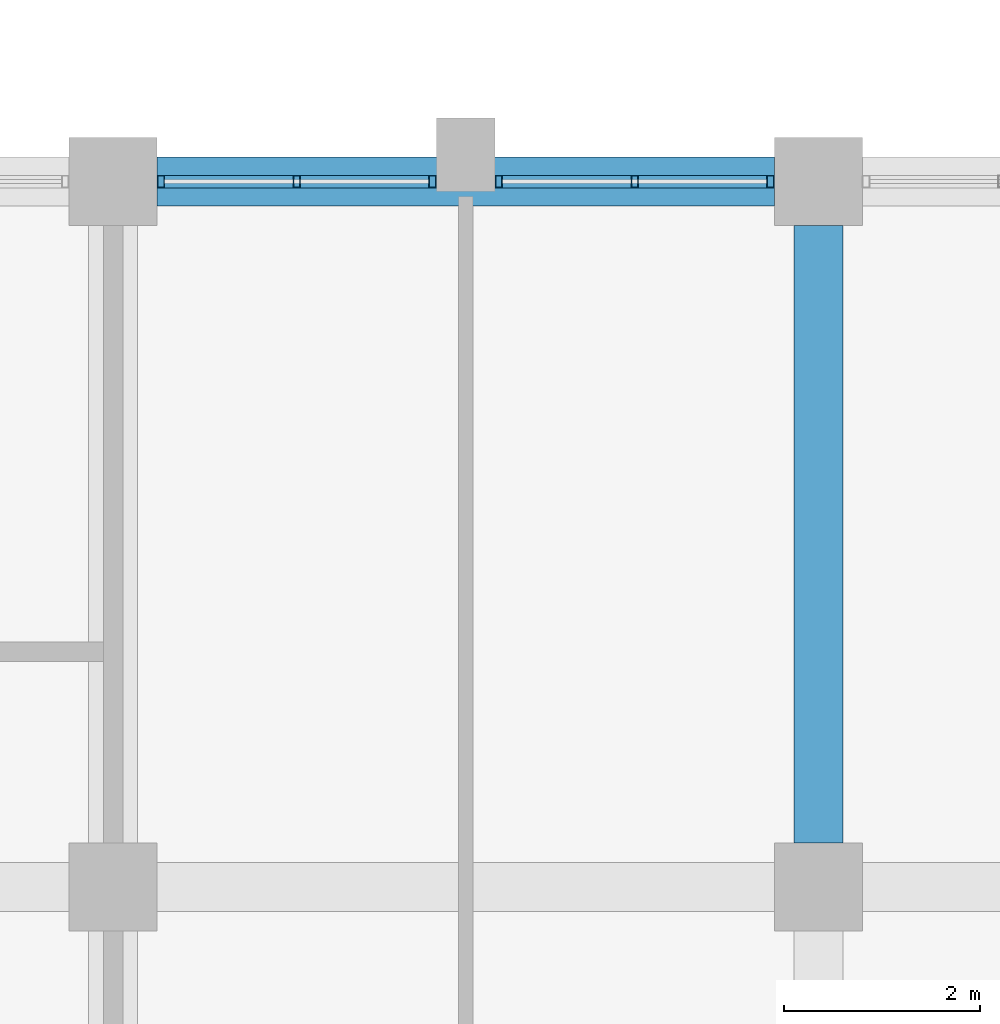
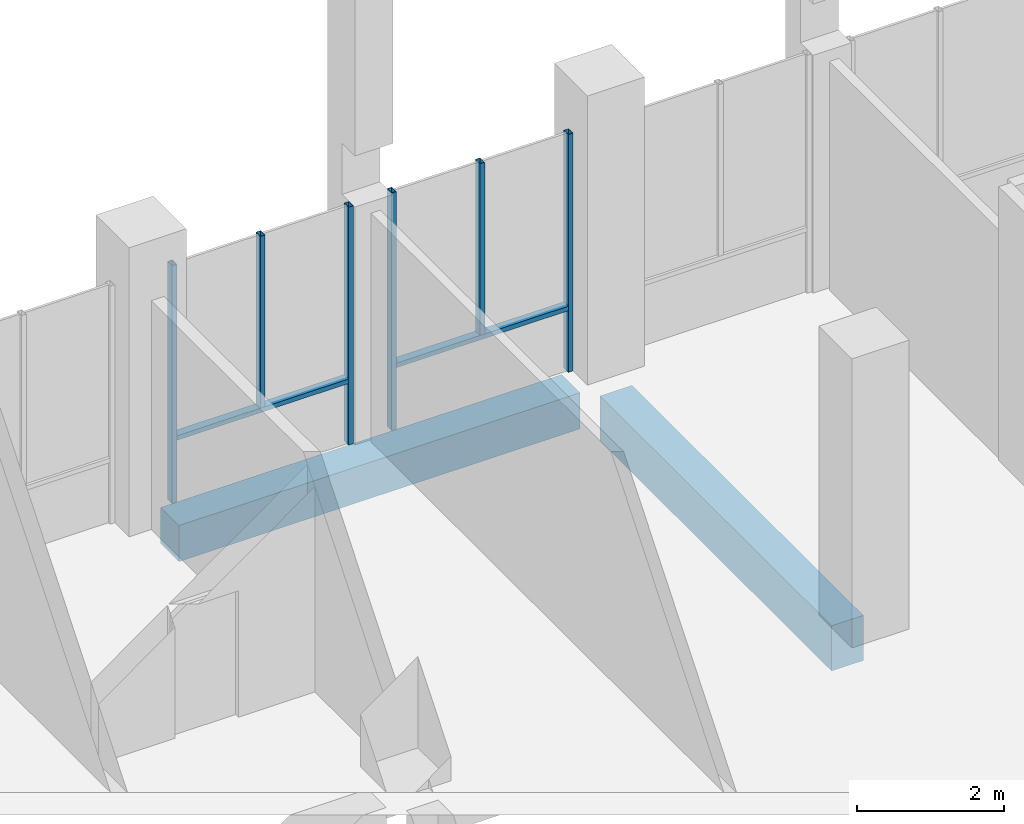
# One storey, part 3 of 40: 8 members, 2 beams, 2 elements without a shape of their own.
"""IFC4 building model written with IfcOpenShell, lengths in metres."""

from ifc_helpers import new_model, si_unit, direction, frame, origin, origin_2d, place, context, subcontext, project, spatial, rectangle, hollow_rectangle, extrude, material, material_profile, profile_set, type_object, element, aggregate, save


model = new_model("IFC4")

# Units and contexts
model_context = context("Model", 3, precision=1e-05, world=origin(), true_north=direction((0.0, 1.0)))
body_context = subcontext(model_context, "Body", "Model", "MODEL_VIEW")
ifc_project = project(units=[si_unit("LENGTHUNIT", "METRE"), si_unit("AREAUNIT", "SQUARE_METRE"), si_unit("VOLUMEUNIT", "CUBIC_METRE"), si_unit("PLANEANGLEUNIT", "RADIAN"), si_unit("MASSUNIT", "GRAM", prefix="KILO")], contexts=[model_context])

# Site, building, storey
site_placement = place(None, origin())
site = spatial("IfcSite", under=ifc_project, at=site_placement, CompositionType="ELEMENT")
building_placement = place(site_placement, origin())
building = spatial("IfcBuilding", under=site, at=building_placement, Name="Silangan Lancet Faculty of Sciences", CompositionType="ELEMENT")
storey_placement = place(building_placement, frame((0.0, 0.0, 21.60009765625)))
storey = spatial("IfcBuildingStorey", under=building, at=storey_placement, Name="L04", CompositionType="ELEMENT", Elevation=21.60009765625)

# Beams
ifc_material_1 = material(Name="Concrete C40/50", Category="concrete")
ifc_material_profile_1 = material_profile(ifc_material_1, rectangle(XDim=0.5, YDim=0.60009765625, at=origin_2d()), Name="RC 500x600")
ifc_profile_set_1 = profile_set([ifc_material_profile_1], Name="Concrete C40/50")
beam_type_1 = type_object("IfcBeamType", Name="BEAM RC 500x600", PredefinedType="BEAM", material=ifc_profile_set_1)
beam_1_placement = place(storey_placement, frame((7.64990234375, 21.60009765625, -0.550048828125), z_axis=(1.0, 0.0, 0.0), x_axis=(0.0, 1.0, 0.0)))
element("IfcBeam", 1, at=beam_1_placement, inside=storey, type_object=beam_type_1, Name="BM-L04-2D-3D", PredefinedType="BEAM", context=body_context, shape_type="SweptSolid", body=[
    extrude(rectangle(XDim=0.5, YDim=0.60009765625, at=origin_2d()), origin(), (0.0, 0.0, 1.0), 6.300048828125),
])
ifc_material_2 = material(Name="Concrete C40/50", Category="concrete")
ifc_material_profile_2 = material_profile(ifc_material_2, rectangle(XDim=0.5, YDim=0.75, at=origin_2d()), Name="RC 500x750")
ifc_profile_set_2 = profile_set([ifc_material_profile_2], Name="Concrete C40/50")
beam_type_2 = type_object("IfcBeamType", Name="BEAM RC 500x750", PredefinedType="BEAM", material=ifc_profile_set_2)
beam_2_placement = place(storey_placement, frame((14.39990234375, 14.85009765625, -0.625), z_axis=(0.0, 1.0, 0.0), x_axis=(-1.0, 0.0, 0.0)))
element("IfcBeam", 2, at=beam_2_placement, inside=storey, type_object=beam_type_2, Name="BM-L04-3C-3D", PredefinedType="BEAM", context=body_context, shape_type="SweptSolid", body=[
    extrude(rectangle(XDim=0.5, YDim=0.75, at=origin_2d()), origin(), (0.0, 0.0, 1.0), 6.2998046875),
])

# Curtain wall, members
ifc_material_3 = material(Name="Aluminium framed curtain wall with insulated glass", Category="aluminium")
curtain_wall_type = type_object("IfcCurtainWallType", Name="CW2 Atrium fire-resisting screen", PredefinedType="NOTDEFINED", material=ifc_material_3)
curtain_wall_1_placement = place(storey_placement, origin())
curtain_wall_1 = element("IfcCurtainWall", 3, at=curtain_wall_1_placement, inside=storey, type_object=curtain_wall_type, Name="CW2 Atrium south L04 bay 3", PredefinedType="NOTDEFINED")
ifc_material_4 = material(Name="Steel S355J2H", Category="steel")
ifc_material_profile_3 = material_profile(ifc_material_4, hollow_rectangle(XDim=0.074951171875, YDim=0.125, WallThickness=0.0048828125, at=origin_2d()), Name="ST BOX 75x125x5")
ifc_profile_set_3 = profile_set([ifc_material_profile_3], Name="Steel S355J2H")
member_type_1 = type_object("IfcMemberType", Name="CM2 Mullion 75x125", PredefinedType="MULLION", material=ifc_profile_set_3)
member_1_placement = place(storey_placement, frame((13.91259765625, 21.60009765625, 0.0), z_axis=(0.0, 0.0, 1.0), x_axis=(-1.0, 0.0, 0.0)))
member_1 = element("IfcMember", 4, at=member_1_placement, type_object=member_type_1, Name="CW2 Atrium south L04 bay 3 mullion 1", PredefinedType="MULLION", context=body_context, shape_type="SweptSolid", body=[
    extrude(hollow_rectangle(XDim=0.074951171875, YDim=0.125, WallThickness=0.0048828125, at=origin_2d()), origin(), (0.0, 0.0, 1.0), 3.949951171875),
])
member_2_placement = place(storey_placement, frame((11.137451171875, 21.60009765625, 0.0), z_axis=(0.0, 0.0, 1.0), x_axis=(-1.0, 0.0, 0.0)))
member_2 = element("IfcMember", 5, at=member_2_placement, type_object=member_type_1, Name="CW2 Atrium south L04 bay 3 mullion 2", PredefinedType="MULLION", context=body_context, shape_type="SweptSolid", body=[
    extrude(hollow_rectangle(XDim=0.074951171875, YDim=0.125, WallThickness=0.0048828125, at=origin_2d()), origin(), (0.0, 0.0, 1.0), 3.949951171875),
])
member_3_placement = place(storey_placement, frame((12.52490234375, 21.60009765625, 1.099853515625), z_axis=(0.0, 0.0, 1.0), x_axis=(-1.0, 0.0, 0.0)))
member_3 = element("IfcMember", 6, at=member_3_placement, type_object=member_type_1, Name="CW2 Atrium south L04 bay 3 mullion 3", PredefinedType="MULLION", context=body_context, shape_type="SweptSolid", body=[
    extrude(hollow_rectangle(XDim=0.074951171875, YDim=0.125, WallThickness=0.0048828125, at=origin_2d()), origin(), (0.0, 0.0, 1.0), 2.85009765625),
])

curtain_wall_2_placement = place(storey_placement, origin())
curtain_wall_2 = element("IfcCurtainWall", 7, at=curtain_wall_2_placement, inside=storey, type_object=curtain_wall_type, Name="CW2 Atrium south L04 bay 4", PredefinedType="NOTDEFINED")
member_4_placement = place(storey_placement, frame((10.46240234375, 21.60009765625, 0.0), z_axis=(0.0, 0.0, 1.0), x_axis=(-1.0, 0.0, 0.0)))
member_4 = element("IfcMember", 8, at=member_4_placement, type_object=member_type_1, Name="CW2 Atrium south L04 bay 4 mullion 1", PredefinedType="MULLION", context=body_context, shape_type="SweptSolid", body=[
    extrude(hollow_rectangle(XDim=0.074951171875, YDim=0.125, WallThickness=0.0048828125, at=origin_2d()), origin(), (0.0, 0.0, 1.0), 3.949951171875),
])
member_5_placement = place(storey_placement, frame((7.6875, 21.60009765625, 0.0), z_axis=(0.0, 0.0, 1.0), x_axis=(-1.0, 0.0, 0.0)))
member_5 = element("IfcMember", 9, at=member_5_placement, type_object=member_type_1, Name="CW2 Atrium south L04 bay 4 mullion 2", PredefinedType="MULLION", context=body_context, shape_type="SweptSolid", body=[
    extrude(hollow_rectangle(XDim=0.074951171875, YDim=0.125, WallThickness=0.0048828125, at=origin_2d()), origin(), (0.0, 0.0, 1.0), 3.949951171875),
])
member_6_placement = place(storey_placement, frame((9.074951171875, 21.60009765625, 1.099853515625), z_axis=(0.0, 0.0, 1.0), x_axis=(-1.0, 0.0, 0.0)))
member_6 = element("IfcMember", 10, at=member_6_placement, type_object=member_type_1, Name="CW2 Atrium south L04 bay 4 mullion 3", PredefinedType="MULLION", context=body_context, shape_type="SweptSolid", body=[
    extrude(hollow_rectangle(XDim=0.074951171875, YDim=0.125, WallThickness=0.0048828125, at=origin_2d()), origin(), (0.0, 0.0, 1.0), 2.85009765625),
])

# Member
ifc_material_5 = material(Name="Steel S355J2H", Category="steel")
ifc_material_profile_4 = material_profile(ifc_material_5, hollow_rectangle(XDim=0.125, YDim=0.074951171875, WallThickness=0.0048828125, at=origin_2d()), Name="ST BOX 125x75x5")
ifc_profile_set_4 = profile_set([ifc_material_profile_4], Name="Steel S355J2H")
member_type_2 = type_object("IfcMemberType", Name="CT2 Transom 125x75", PredefinedType="USERDEFINED", material=ifc_profile_set_4)
member_7_placement = place(storey_placement, frame((13.875, 21.60009765625, 1.0625), z_axis=(-1.0, 0.0, 0.0), x_axis=(0.0, -1.0, 0.0)))
member_7 = element("IfcMember", 11, at=member_7_placement, type_object=member_type_2, Name="CW2 Atrium south L04 bay 3 transom 1", ObjectType="TRANSOM", PredefinedType="USERDEFINED", context=body_context, shape_type="SweptSolid", body=[
    extrude(hollow_rectangle(XDim=0.125, YDim=0.074951171875, WallThickness=0.0048828125, at=origin_2d()), origin(), (0.0, 0.0, 1.0), 2.699951171875),
])

aggregate(curtain_wall_1, [member_1, member_2, member_3, member_7])

member_8_placement = place(storey_placement, frame((10.425048828125, 21.60009765625, 1.0625), z_axis=(-1.0, 0.0, 0.0), x_axis=(0.0, -1.0, 0.0)))
member_8 = element("IfcMember", 12, at=member_8_placement, type_object=member_type_2, Name="CW2 Atrium south L04 bay 4 transom 1", ObjectType="TRANSOM", PredefinedType="USERDEFINED", context=body_context, shape_type="SweptSolid", body=[
    extrude(hollow_rectangle(XDim=0.125, YDim=0.074951171875, WallThickness=0.0048828125, at=origin_2d()), origin(), (0.0, 0.0, 1.0), 2.699951171875),
])

aggregate(curtain_wall_2, [member_4, member_5, member_6, member_8])

save(model, "model.ifc")
